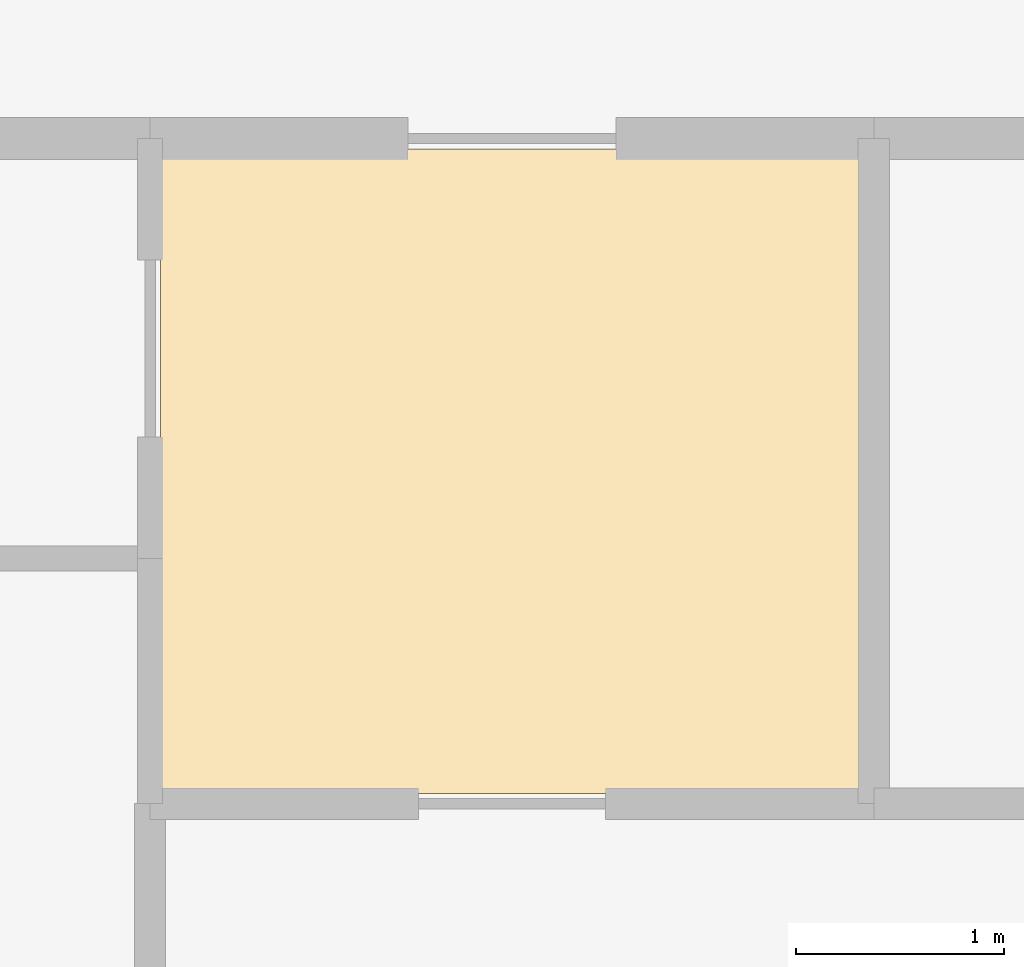
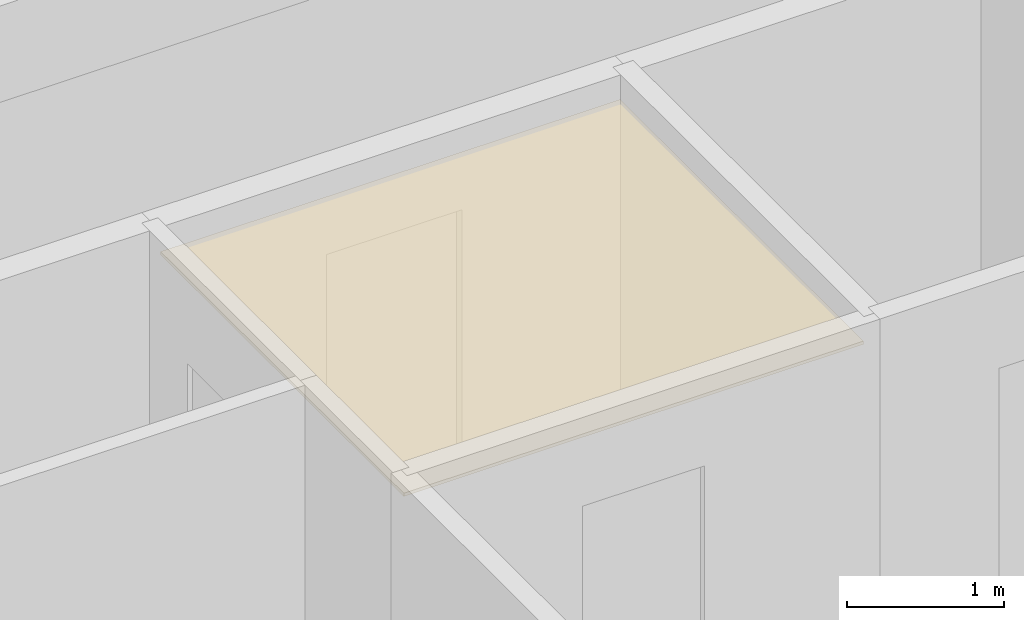
# One storey, part 23 of 28: 1 covering.
"""IFC4 building model written with IfcOpenShell, lengths in metres."""

import ifcopenshell
import ifcopenshell.guid

model = None  # the IFC model being written
_history = None  # IfcOwnerHistory: only IFC2X3 demands one
_inside = {}  # id of a spatial element -> (the spatial element, [elements in it])
_under = {}  # id of a project, library or spatial element -> (it, [spatial elements below it])
_declared = {}  # id of a project -> (the project, [libraries it declares])
_typed = {}  # id of a type object -> (the type object, [elements of that type])
_made_of = {}  # id of a material, layer set ... -> (it, [elements and type objects made of it])


def new_model(schema):
    """Start an empty IFC model of exactly this schema.

    Asked for "IFC4X3", IfcOpenShell would pick the latest addendum, in which some entities
    have other attributes; the version numbers below select the first issue.
    IFC2X3 requires an IfcOwnerHistory on every rooted entity: one is made here for all.
    """
    global model, _history
    if schema == "IFC4X3":
        model = ifcopenshell.file(schema_version=(4, 3, 0, 0))
    else:
        model = ifcopenshell.file(schema=schema)
    _inside.clear()
    _under.clear()
    _declared.clear()
    _typed.clear()
    _made_of.clear()
    _history = None
    if model.schema == "IFC2X3":
        org = make("IfcOrganization", Name="unknown")
        user = make(
            "IfcPersonAndOrganization",
            ThePerson=make("IfcPerson", FamilyName="unknown"),
            TheOrganization=org,
        )
        app = make(
            "IfcApplication",
            ApplicationDeveloper=org,
            Version="unknown",
            ApplicationFullName="unknown",
            ApplicationIdentifier="unknown",
        )
        _history = make(
            "IfcOwnerHistory",
            OwningUser=user,
            OwningApplication=app,
            ChangeAction="ADDED",
            CreationDate=0,
        )
    return model


def make(cls, **values):
    """One entity of the class cls with the attributes given. An attribute that is None is left unset."""
    return model.create_entity(
        cls, **{name: value for name, value in values.items() if value is not None}
    )


def rooted(cls, **values):
    """An entity with a GlobalId (a new one), such as an element, a storey or a relation."""
    return make(cls, GlobalId=ifcopenshell.guid.new(), OwnerHistory=_history, **values)


def si_unit(unit_type, name, prefix=None):
    """IfcSIUnit, for example si_unit("LENGTHUNIT", "METRE", prefix="MILLI")."""
    return make("IfcSIUnit", UnitType=unit_type, Prefix=prefix, Name=name)


def assignment(units):
    """IfcUnitAssignment: the units of a project."""
    return None if units is None else make("IfcUnitAssignment", Units=units)


def point(xyz):
    """IfcCartesianPoint."""
    return None if xyz is None else make("IfcCartesianPoint", Coordinates=xyz)


def direction(xyz):
    """IfcDirection."""
    return None if xyz is None else make("IfcDirection", DirectionRatios=xyz)


def frame(location, z_axis=None, x_axis=None):
    """IfcAxis2Placement3D, a coordinate frame: its origin and axes. An axis left out is left unset."""
    return make(
        "IfcAxis2Placement3D",
        Location=point(location),
        Axis=direction(z_axis),
        RefDirection=direction(x_axis),
    )


def origin():
    """The frame at (0, 0, 0) with its axes left unset."""
    return frame((0.0, 0.0, 0.0))


def place(relative_to, where):
    """IfcLocalPlacement: puts the frame where relative to a parent placement (None: the world)."""
    return make(
        "IfcLocalPlacement", PlacementRelTo=relative_to, RelativePlacement=where
    )


def context(
    kind, dimensions, precision=None, world=None, true_north=None, identifier=None
):
    """IfcGeometricRepresentationContext, for example the 3D "Model" context."""
    return make(
        "IfcGeometricRepresentationContext",
        ContextIdentifier=identifier,
        ContextType=kind,
        CoordinateSpaceDimension=dimensions,
        Precision=precision,
        WorldCoordinateSystem=world,
        TrueNorth=true_north,
    )


def subcontext(parent, identifier, kind, view, scale=None):
    """IfcGeometricRepresentationSubContext, for example "Body" below "Model"."""
    return make(
        "IfcGeometricRepresentationSubContext",
        ContextIdentifier=identifier,
        ContextType=kind,
        ParentContext=parent,
        TargetScale=scale,
        TargetView=view,
    )


def project(units=None, contexts=None):
    """IfcProject with its units and contexts."""
    return rooted(
        "IfcProject",
        Name="project",
        RepresentationContexts=contexts,
        UnitsInContext=assignment(units),
    )


def spatial(cls, under=None, at=None, **own):
    """A site, building, storey or space (cls), placed at a placement, below another one or the project."""
    s = rooted(cls, ObjectPlacement=at, **own)
    if under is not None:
        _under.setdefault(under.id(), (under, []))[1].append(s)
    return s


def polyline(points):
    """IfcPolyline through the points."""
    return make("IfcPolyline", Points=[point(p) for p in points])


def outline(outer, holes=None, kind="AREA"):
    """IfcArbitraryClosedProfileDef: a profile drawn as a closed curve; with holes, ...WithVoids."""
    if holes is None:
        return make("IfcArbitraryClosedProfileDef", ProfileType=kind, OuterCurve=outer)
    return make(
        "IfcArbitraryProfileDefWithVoids",
        ProfileType=kind,
        OuterCurve=outer,
        InnerCurves=holes,
    )


def extrude(swept, where, along, depth):
    """IfcExtrudedAreaSolid: the profile swept, set in the frame where, extruded along a direction by depth."""
    return make(
        "IfcExtrudedAreaSolid",
        SweptArea=swept,
        Position=where,
        ExtrudedDirection=direction(along),
        Depth=depth,
    )


def shape(context_of_items, identifier, shape_type, items):
    """IfcShapeRepresentation: the items that make up one representation, for example the "Body"."""
    return make(
        "IfcShapeRepresentation",
        ContextOfItems=context_of_items,
        RepresentationIdentifier=identifier,
        RepresentationType=shape_type,
        Items=items,
    )


def material(Name=None, Category=None):
    """IfcMaterial."""
    return make("IfcMaterial", Name=Name, Category=Category)


def layer(
    of_material, thickness, ventilated=None, Name=None, Category=None, Priority=None
):
    """IfcMaterialLayer: one layer of a wall or slab, of a material (None: an air gap)."""
    return make(
        "IfcMaterialLayer",
        Material=of_material,
        LayerThickness=thickness,
        IsVentilated=ventilated,
        Name=Name,
        Category=Category,
        Priority=Priority,
    )


def layer_set(layers, Name=None):
    """IfcMaterialLayerSet."""
    return make("IfcMaterialLayerSet", MaterialLayers=layers, LayerSetName=Name)


def made_of(thing, what):
    """Note that an element or type object is made of a material, layer set ...; save() writes the relation."""
    if what is not None:
        _made_of.setdefault(what.id(), (what, []))[1].append(thing)
    return thing


def type_object(cls, material=None, **own):
    """A type object (cls), such as IfcWallType, which elements share."""
    return made_of(rooted(cls, **own), material)


def element(
    cls,
    number,
    at=None,
    inside=None,
    cuts=None,
    type_object=None,
    material=None,
    context=None,
    identifier="Body",
    shape_type=None,
    held_by="IfcProductDefinitionShape",
    body=None,
    shapes=None,
    **own,
):
    """One element of the class cls, such as IfcWall. Its Tag is "e" and its number.

    at: its placement. inside: the storey or other place that contains it. cuts: it is an
    opening in that element (IfcRelVoidsElement). A single representation is given by context,
    identifier, shape_type and body (its items); several are given by shapes. held_by: the class
    of the entity that holds the representations. save() writes the other relations.
    """
    e = rooted(cls, Tag="e%d" % number, ObjectPlacement=at, **own)
    if body is not None:
        shapes = [shape(context, identifier, shape_type, body)]
    if shapes is not None:
        e.Representation = make(held_by, Representations=shapes)
    if inside is not None:
        _inside.setdefault(inside.id(), (inside, []))[1].append(e)
    if cuts is not None:
        rooted(
            "IfcRelVoidsElement", RelatingBuildingElement=cuts, RelatedOpeningElement=e
        )
    if type_object is not None:
        _typed.setdefault(type_object.id(), (type_object, []))[1].append(e)
    return made_of(e, material)


def aggregate(whole, parts):
    """IfcRelAggregates: a whole, such as a stair, and the parts it consists of."""
    return rooted("IfcRelAggregates", RelatingObject=whole, RelatedObjects=parts)


def save(model, path):
    """Write the relations noted so far, then the file.

    IfcRelAggregates (storeys below a building ...), IfcRelContainedInSpatialStructure (elements
    in a storey), IfcRelDefinesByType, IfcRelAssociatesMaterial and IfcRelDeclares: one each for
    every whole, place, type object, material and project.
    """
    for whole, parts in _under.values():
        aggregate(whole, parts)
    for where, things in _inside.values():
        rooted(
            "IfcRelContainedInSpatialStructure",
            RelatedElements=things,
            RelatingStructure=where,
        )
    for kind, things in _typed.values():
        rooted("IfcRelDefinesByType", RelatedObjects=things, RelatingType=kind)
    for what, things in _made_of.values():
        rooted("IfcRelAssociatesMaterial", RelatedObjects=things, RelatingMaterial=what)
    for by, libraries in _declared.values():
        rooted("IfcRelDeclares", RelatingContext=by, RelatedDefinitions=libraries)
    model.write(path)


model = new_model("IFC4")

# Units and contexts
model_context = context("Model", 3, precision=1e-05, world=origin(), true_north=direction((0.0, 1.0)))
body_context = subcontext(model_context, "Body", "Model", "MODEL_VIEW")
ifc_project = project(units=[si_unit("LENGTHUNIT", "METRE"), si_unit("AREAUNIT", "SQUARE_METRE"), si_unit("VOLUMEUNIT", "CUBIC_METRE"), si_unit("PLANEANGLEUNIT", "RADIAN"), si_unit("MASSUNIT", "GRAM", prefix="KILO")], contexts=[model_context])

# Site, building, storey
site_placement = place(None, origin())
site = spatial("IfcSite", under=ifc_project, at=site_placement, CompositionType="ELEMENT")
building_placement = place(site_placement, origin())
building = spatial("IfcBuilding", under=site, at=building_placement, Name="Saelheon Loggia Tower", CompositionType="ELEMENT")
storey_placement = place(building_placement, frame((0.0, 0.0, 61.39990234375)))
storey = spatial("IfcBuildingStorey", under=building, at=storey_placement, Name="L19", CompositionType="ELEMENT", Elevation=61.39990234375)

# Covering
ifc_material = material(Name="Mineral-Fibre Acoustic Ceiling Board", Category="gypsum")
ifc_layer = layer(ifc_material, 0.02490234375)
ifc_layer_set = layer_set([ifc_layer], Name="Mineral-Fibre Acoustic Ceiling Board")
covering_type = type_object("IfcCoveringType", Name="Cov_Ceiling_Acoustic", PredefinedType="CEILING", material=ifc_layer_set)
covering_placement = place(storey_placement, frame((0.0, 0.0, 2.53515625)))
element("IfcCovering", 1, at=covering_placement, inside=storey, type_object=covering_type, Name="L19 Acoustic Suspended Ceiling", PredefinedType="CEILING", context=body_context, shape_type="SweptSolid", body=[
    extrude(outline(polyline([(19.2119140625, 11.800048828125), (22.593017578125, 11.800048828125), (22.593017578125, 14.89990234375), (19.2119140625, 14.89990234375), (19.2119140625, 11.800048828125)])), origin(), (0.0, 0.0, 1.0), 0.02490234375),
])

save(model, "model.ifc")
